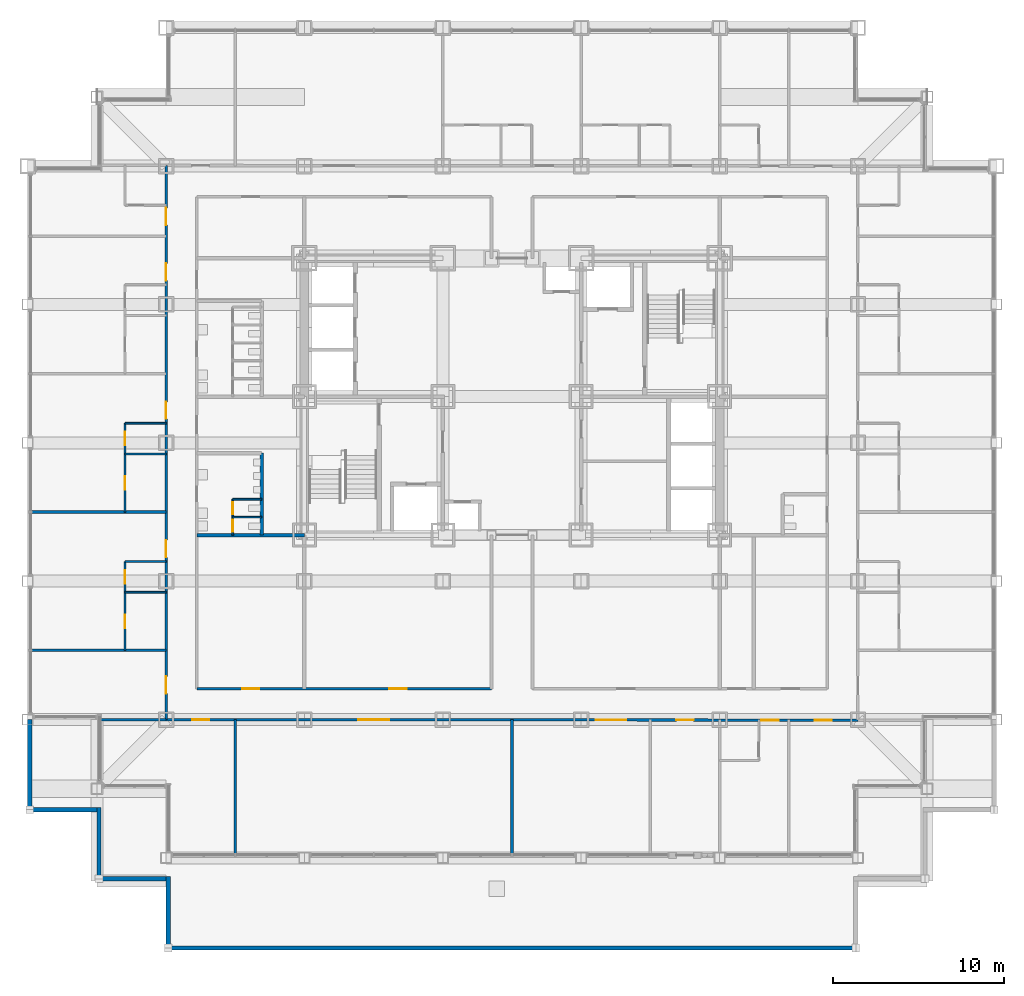
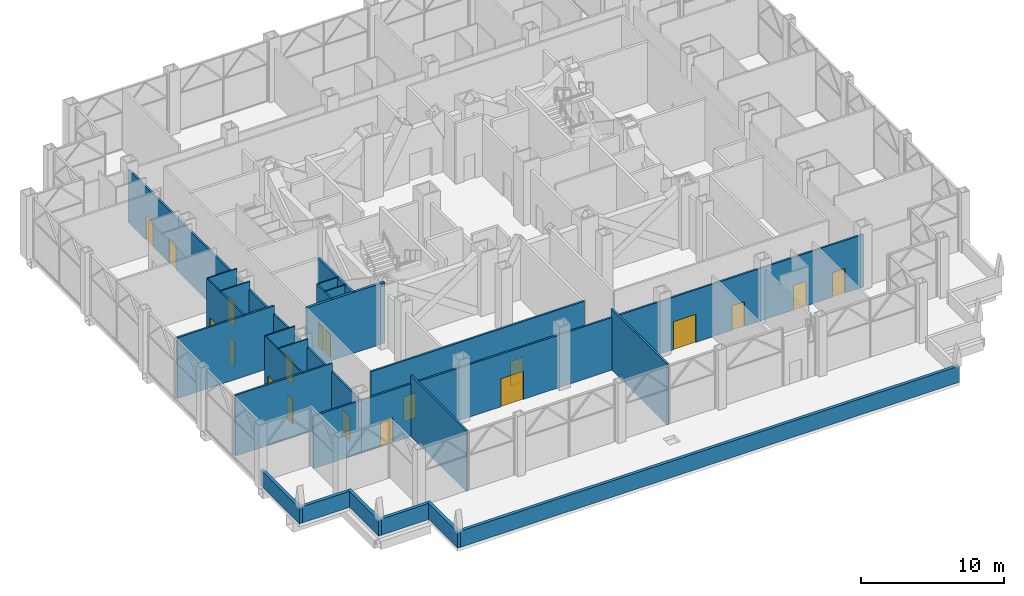
# One storey, part 19 of 26: 25 walls, 19 doors, 19 openings.
"""IFC4 building model written with IfcOpenShell, lengths in metres."""

from ifc_helpers import new_model, si_unit, direction, frame, frame_2d, origin, place, context, subcontext, project, spatial, rectangle, extrude, material, layer, layer_set, type_object, element, fill, save


model = new_model("IFC4")

# Units and contexts
model_context = context("Model", 3, precision=1e-05, world=origin(), true_north=direction((0.0, 1.0)))
body_context = subcontext(model_context, "Body", "Model", "MODEL_VIEW")
ifc_project = project(units=[si_unit("LENGTHUNIT", "METRE"), si_unit("AREAUNIT", "SQUARE_METRE"), si_unit("VOLUMEUNIT", "CUBIC_METRE"), si_unit("PLANEANGLEUNIT", "RADIAN"), si_unit("MASSUNIT", "GRAM", prefix="KILO")], contexts=[model_context])

# Site, building, storey
site_placement = place(None, origin())
site = spatial("IfcSite", under=ifc_project, at=site_placement, CompositionType="ELEMENT")
building_placement = place(site_placement, origin())
building = spatial("IfcBuilding", under=site, at=building_placement, Name="Kopane Lantern Tower", CompositionType="ELEMENT")
storey_placement = place(building_placement, frame((0.0, 0.0, 98.0)))
storey = spatial("IfcBuildingStorey", under=building, at=storey_placement, Name="L24", CompositionType="ELEMENT", Elevation=98.0)

# Wall, openings, doors
ifc_material_1 = material(Name="Moisture-resistant board on steel studs", Category="steel")
ifc_layer_1 = layer(ifc_material_1, 0.10009765625)
ifc_layer_set_1 = layer_set([ifc_layer_1], Name="BATHROOM WALL 100")
wall_type_1 = type_object("IfcWallType", Name="BATHROOM WALL 100", PredefinedType="PARTITIONING", material=ifc_layer_set_1)
wall_1_placement = place(storey_placement, frame((5.699951171875, 17.550048828125, 0.0), z_axis=(0.0, 0.0, 1.0), x_axis=(0.0, 1.0, 0.0)))
wall_1 = element("IfcWall", 1, at=wall_1_placement, inside=storey, type_object=wall_type_1, Name="Bathroom Wall 100 L24", PredefinedType="PARTITIONING", context=body_context, shape_type="SweptSolid", body=[
    extrude(rectangle(XDim=5.199951171875, YDim=0.10009765625, at=frame_2d((2.60009765625, 0.0))), origin(), (0.0, 0.0, 1.0), 5.18994140625),
])
opening_1_placement = place(wall_1_placement, frame((1.300048828125, 0.0, 0.0)))
opening_1 = element("IfcOpeningElement", 2, at=opening_1_placement, cuts=wall_1, Name="Opening L24-032", PredefinedType="OPENING", context=body_context, shape_type="SweptSolid", body=[
    extrude(rectangle(XDim=0.800048828125, YDim=2.10009765625, at=frame_2d((0.39990234375, 1.050048828125))), frame((0.0, 0.06005859375, 0.0), z_axis=(0.0, -1.0, 0.0), x_axis=(1.0, 0.0, 0.0)), (0.0, 0.0, 1.0), 0.1201171875),
])
opening_2_placement = place(wall_1_placement, frame((3.89990234375, 0.0, 0.0)))
opening_2 = element("IfcOpeningElement", 3, at=opening_2_placement, cuts=wall_1, Name="Opening L24-033", PredefinedType="OPENING", context=body_context, shape_type="SweptSolid", body=[
    extrude(rectangle(XDim=0.800048828125, YDim=2.10009765625, at=frame_2d((0.39990234375, 1.050048828125))), frame((0.0, 0.06005859375, 0.0), z_axis=(0.0, -1.0, 0.0), x_axis=(1.0, 0.0, 0.0)), (0.0, 0.0, 1.0), 0.1201171875),
])
ifc_material_2 = material(Name="Timber door set", Category="wood")
door_type_1 = type_object("IfcDoorType", Name="DOOR D2 800x2100", OperationType="SINGLE_SWING_LEFT", PredefinedType="DOOR", material=ifc_material_2)
door_1_placement = place(opening_1_placement, origin())
door_1 = element("IfcDoor", 4, at=door_1_placement, inside=storey, type_object=door_type_1, Name="Door L24-032", OperationType="SINGLE_SWING_LEFT", OverallHeight=2.10009765625, OverallWidth=0.800048828125, PredefinedType="DOOR", context=body_context, shape_type="SweptSolid", body=[
    extrude(rectangle(XDim=0.800048828125, YDim=2.10009765625, at=frame_2d((0.39990234375, 1.050048828125))), frame((0.0, 0.02490234375, 0.0), z_axis=(0.0, -1.0, 0.0), x_axis=(1.0, 0.0, 0.0)), (0.0, 0.0, 1.0), 0.050048828125),
])
fill(opening_1, door_1)
door_2_placement = place(opening_2_placement, origin())
door_2 = element("IfcDoor", 5, at=door_2_placement, inside=storey, type_object=door_type_1, Name="Door L24-033", OperationType="SINGLE_SWING_LEFT", OverallHeight=2.10009765625, OverallWidth=0.800048828125, PredefinedType="DOOR", context=body_context, shape_type="SweptSolid", body=[
    extrude(rectangle(XDim=0.800048828125, YDim=2.10009765625, at=frame_2d((0.39990234375, 1.050048828125))), frame((0.0, 0.02490234375, 0.0), z_axis=(0.0, -1.0, 0.0), x_axis=(1.0, 0.0, 0.0)), (0.0, 0.0, 1.0), 0.050048828125),
])
fill(opening_2, door_2)

# Walls
for number, where, z_axis, x_axis, name in (
    (6, (8.10009765625, 20.949951171875, 0.0), (0.0, 0.0, 1.0), (-1.0, 0.0, 0.0), "Bathroom Wall 100 L24"),
    (7, (8.10009765625, 22.75, 0.0), (0.0, 0.0, 1.0), (-1.0, 0.0, 0.0), "Bathroom Wall 100 L24"),
):
    element("IfcWall", number, at=place(storey_placement, frame(where, z_axis=z_axis, x_axis=x_axis)), inside=storey, type_object=wall_type_1, Name=name, PredefinedType="PARTITIONING", context=body_context, shape_type="SweptSolid", body=[
        extrude(rectangle(XDim=2.400146484375, YDim=0.10009765625, at=frame_2d((1.2001953125, 0.0))), origin(), (0.0, 0.0, 1.0), 5.18994140625),
    ])

# Wall, openings, doors
wall_2_placement = place(storey_placement, frame((5.699951171875, 25.64990234375, 0.0), z_axis=(0.0, 0.0, 1.0), x_axis=(0.0, 1.0, 0.0)))
wall_2 = element("IfcWall", 8, at=wall_2_placement, inside=storey, type_object=wall_type_1, Name="Bathroom Wall 100 L24", PredefinedType="PARTITIONING", context=body_context, shape_type="SweptSolid", body=[
    extrude(rectangle(XDim=5.2001953125, YDim=0.10009765625, at=frame_2d((2.60009765625, 0.0))), origin(), (0.0, 0.0, 1.0), 5.18994140625),
])
opening_3_placement = place(wall_2_placement, frame((1.300048828125, 0.0, 0.0)))
opening_3 = element("IfcOpeningElement", 9, at=opening_3_placement, cuts=wall_2, Name="Opening L24-035", PredefinedType="OPENING", context=body_context, shape_type="SweptSolid", body=[
    extrude(rectangle(XDim=0.800048828125, YDim=2.10009765625, at=frame_2d((0.39990234375, 1.050048828125))), frame((0.0, 0.06005859375, 0.0), z_axis=(0.0, -1.0, 0.0), x_axis=(1.0, 0.0, 0.0)), (0.0, 0.0, 1.0), 0.1201171875),
])
opening_4_placement = place(wall_2_placement, frame((3.89990234375, 0.0, 0.0)))
opening_4 = element("IfcOpeningElement", 10, at=opening_4_placement, cuts=wall_2, Name="Opening L24-036", PredefinedType="OPENING", context=body_context, shape_type="SweptSolid", body=[
    extrude(rectangle(XDim=0.800048828125, YDim=2.10009765625, at=frame_2d((0.39990234375, 1.050048828125))), frame((0.0, 0.06005859375, 0.0), z_axis=(0.0, -1.0, 0.0), x_axis=(1.0, 0.0, 0.0)), (0.0, 0.0, 1.0), 0.1201171875),
])
door_3_placement = place(opening_3_placement, origin())
door_3 = element("IfcDoor", 11, at=door_3_placement, inside=storey, type_object=door_type_1, Name="Door L24-035", OperationType="SINGLE_SWING_LEFT", OverallHeight=2.10009765625, OverallWidth=0.800048828125, PredefinedType="DOOR", context=body_context, shape_type="SweptSolid", body=[
    extrude(rectangle(XDim=0.800048828125, YDim=2.10009765625, at=frame_2d((0.39990234375, 1.050048828125))), frame((0.0, 0.02490234375, 0.0), z_axis=(0.0, -1.0, 0.0), x_axis=(1.0, 0.0, 0.0)), (0.0, 0.0, 1.0), 0.050048828125),
])
fill(opening_3, door_3)
door_4_placement = place(opening_4_placement, origin())
door_4 = element("IfcDoor", 12, at=door_4_placement, inside=storey, type_object=door_type_1, Name="Door L24-036", OperationType="SINGLE_SWING_LEFT", OverallHeight=2.10009765625, OverallWidth=0.800048828125, PredefinedType="DOOR", context=body_context, shape_type="SweptSolid", body=[
    extrude(rectangle(XDim=0.800048828125, YDim=2.10009765625, at=frame_2d((0.39990234375, 1.050048828125))), frame((0.0, 0.02490234375, 0.0), z_axis=(0.0, -1.0, 0.0), x_axis=(1.0, 0.0, 0.0)), (0.0, 0.0, 1.0), 0.050048828125),
])
fill(opening_4, door_4)

# Walls
for number, where, z_axis, x_axis, name in (
    (13, (8.10009765625, 29.050048828125, 0.0), (0.0, 0.0, 1.0), (-1.0, 0.0, 0.0), "Bathroom Wall 100 L24"),
    (14, (8.10009765625, 30.85009765625, 0.0), (0.0, 0.0, 1.0), (-1.0, 0.0, 0.0), "Bathroom Wall 100 L24"),
):
    element("IfcWall", number, at=place(storey_placement, frame(where, z_axis=z_axis, x_axis=x_axis)), inside=storey, type_object=wall_type_1, Name=name, PredefinedType="PARTITIONING", context=body_context, shape_type="SweptSolid", body=[
        extrude(rectangle(XDim=2.400146484375, YDim=0.10009765625, at=frame_2d((1.2001953125, 0.0))), origin(), (0.0, 0.0, 1.0), 5.18994140625),
    ])

# Wall, openings, doors
wall_3_placement = place(storey_placement, frame((12.0, 24.300048828125, 0.0), z_axis=(0.0, 0.0, 1.0), x_axis=(0.0, 1.0, 0.0)))
wall_3 = element("IfcWall", 15, at=wall_3_placement, inside=storey, type_object=wall_type_1, Name="Bathroom Wall 100 L24", PredefinedType="PARTITIONING", context=body_context, shape_type="SweptSolid", body=[
    extrude(rectangle(XDim=2.099853515625, YDim=0.10009765625, at=frame_2d((1.0498046875, 0.0))), origin(), (0.0, 0.0, 1.0), 5.18994140625),
])
opening_5_placement = place(wall_3_placement, frame((0.199951171875, 0.0, 0.0)))
opening_5 = element("IfcOpeningElement", 16, at=opening_5_placement, cuts=wall_3, Name="Opening L24-059", PredefinedType="OPENING", context=body_context, shape_type="SweptSolid", body=[
    extrude(rectangle(XDim=0.699951171875, YDim=2.0, at=frame_2d((0.35009765625, 1.0))), frame((0.0, 0.06005859375, 0.0), z_axis=(0.0, -1.0, 0.0), x_axis=(1.0, 0.0, 0.0)), (0.0, 0.0, 1.0), 0.1201171875),
])
opening_6_placement = place(wall_3_placement, frame((1.22509765625, 0.0, 0.0)))
opening_6 = element("IfcOpeningElement", 17, at=opening_6_placement, cuts=wall_3, Name="Opening L24-060", PredefinedType="OPENING", context=body_context, shape_type="SweptSolid", body=[
    extrude(rectangle(XDim=0.699951171875, YDim=2.0, at=frame_2d((0.35009765625, 1.0))), frame((0.0, 0.06005859375, 0.0), z_axis=(0.0, -1.0, 0.0), x_axis=(1.0, 0.0, 0.0)), (0.0, 0.0, 1.0), 0.1201171875),
])
ifc_material_3 = material(Name="Timber door set", Category="wood")
door_type_2 = type_object("IfcDoorType", Name="DOOR D13 700x2000 WC CUBICLE", OperationType="SINGLE_SWING_LEFT", PredefinedType="DOOR", material=ifc_material_3)
door_5_placement = place(opening_5_placement, origin())
door_5 = element("IfcDoor", 18, at=door_5_placement, inside=storey, type_object=door_type_2, Name="Door L24-059", OperationType="SINGLE_SWING_LEFT", OverallHeight=2.0, OverallWidth=0.699951171875, PredefinedType="DOOR", context=body_context, shape_type="SweptSolid", body=[
    extrude(rectangle(XDim=0.699951171875, YDim=2.0, at=frame_2d((0.35009765625, 1.0))), frame((0.0, 0.02490234375, 0.0), z_axis=(0.0, -1.0, 0.0), x_axis=(1.0, 0.0, 0.0)), (0.0, 0.0, 1.0), 0.050048828125),
])
fill(opening_5, door_5)
door_6_placement = place(opening_6_placement, origin())
door_6 = element("IfcDoor", 19, at=door_6_placement, inside=storey, type_object=door_type_2, Name="Door L24-060", OperationType="SINGLE_SWING_RIGHT", OverallHeight=2.0, OverallWidth=0.699951171875, PredefinedType="DOOR", context=body_context, shape_type="SweptSolid", body=[
    extrude(rectangle(XDim=0.699951171875, YDim=2.0, at=frame_2d((0.35009765625, 1.0))), frame((0.0, 0.02490234375, 0.0), z_axis=(0.0, -1.0, 0.0), x_axis=(1.0, 0.0, 0.0)), (0.0, 0.0, 1.0), 0.050048828125),
])
fill(opening_6, door_6)

# Walls
for number, where, z_axis, x_axis, name in (
    (20, (12.0, 25.35009765625, 0.0), (0.0, 0.0, 1.0), (1.0, 0.0, 0.0), "Bathroom Wall 100 L24"),
    (21, (12.0, 26.39990234375, 0.0), (0.0, 0.0, 1.0), (1.0, 0.0, 0.0), "Bathroom Wall 100 L24"),
):
    element("IfcWall", number, at=place(storey_placement, frame(where, z_axis=z_axis, x_axis=x_axis)), inside=storey, type_object=wall_type_1, Name=name, PredefinedType="PARTITIONING", context=body_context, shape_type="SweptSolid", body=[
        extrude(rectangle(XDim=1.699951171875, YDim=0.10009765625, at=frame_2d((0.85009765625, 0.0))), origin(), (0.0, 0.0, 1.0), 5.18994140625),
    ])

# Wall, openings, doors
ifc_material_4 = material(Name="Gypsum board on steel studs", Category="steel")
ifc_layer_2 = layer(ifc_material_4, 0.14990234375)
ifc_layer_set_2 = layer_set([ifc_layer_2], Name="CORRIDOR WALL 150 EI 60")
wall_type_2 = type_object("IfcWallType", Name="CORRIDOR WALL 150 EI 60", PredefinedType="PARTITIONING", material=ifc_layer_set_2)
wall_4_placement = place(storey_placement, frame((8.10009765625, 13.5, 0.0), z_axis=(0.0, 0.0, 1.0), x_axis=(0.999999628455, -0.000862027072, 0.0)))
wall_4 = element("IfcWall", 22, at=wall_4_placement, inside=storey, type_object=wall_type_2, Name="Corridor Wall 150 Ei 60 L24", PredefinedType="PARTITIONING", context=body_context, shape_type="SweptSolid", body=[
    extrude(rectangle(XDim=40.5, YDim=0.14990234375, at=frame_2d((20.25, 0.0))), origin(), (0.0, 0.0, 1.0), 4.489990234375),
])
opening_7_placement = place(wall_4_placement, frame((11.25, 0.0, 0.0)))
opening_7 = element("IfcOpeningElement", 23, at=opening_7_placement, cuts=wall_4, Name="Opening L24-017", PredefinedType="OPENING", context=body_context, shape_type="SweptSolid", body=[
    extrude(rectangle(XDim=1.800048828125, YDim=2.39990234375, at=frame_2d((0.89990234375, 1.199951171875))), frame((0.0, 0.0849609375, 0.0), z_axis=(0.0, -1.0, 0.0), x_axis=(1.0, 0.0, 0.0)), (0.0, 0.0, 1.0), 0.169921875),
])
opening_8_placement = place(wall_4_placement, frame((25.14990234375, 0.0, 0.0)))
opening_8 = element("IfcOpeningElement", 24, at=opening_8_placement, cuts=wall_4, Name="Opening L24-018", PredefinedType="OPENING", context=body_context, shape_type="SweptSolid", body=[
    extrude(rectangle(XDim=1.800048828125, YDim=2.39990234375, at=frame_2d((0.89990234375, 1.199951171875))), frame((0.0, 0.0849609375, 0.0), z_axis=(0.0, -1.0, 0.0), x_axis=(1.0, 0.0, 0.0)), (0.0, 0.0, 1.0), 0.169921875),
])
opening_9_placement = place(wall_4_placement, frame((29.875, 0.0, 0.0)))
opening_9 = element("IfcOpeningElement", 25, at=opening_9_placement, cuts=wall_4, Name="Opening L24-019", PredefinedType="OPENING", context=body_context, shape_type="SweptSolid", body=[
    extrude(rectangle(XDim=1.0, YDim=2.10009765625, at=frame_2d((0.5, 1.050048828125))), frame((0.0, 0.0849609375, 0.0), z_axis=(0.0, -1.0, 0.0), x_axis=(1.0, 0.0, 0.0)), (0.0, 0.0, 1.0), 0.169921875),
])
opening_10_placement = place(wall_4_placement, frame((34.85009765625, 0.0, 0.0)))
opening_10 = element("IfcOpeningElement", 26, at=opening_10_placement, cuts=wall_4, Name="Opening L24-021", PredefinedType="OPENING", context=body_context, shape_type="SweptSolid", body=[
    extrude(rectangle(XDim=1.0, YDim=2.10009765625, at=frame_2d((0.5, 1.050048828125))), frame((0.0, 0.0849609375, 0.0), z_axis=(0.0, -1.0, 0.0), x_axis=(1.0, 0.0, 0.0)), (0.0, 0.0, 1.0), 0.169921875),
])
opening_11_placement = place(wall_4_placement, frame((1.52490234375, 0.0, 0.0)))
opening_11 = element("IfcOpeningElement", 27, at=opening_11_placement, cuts=wall_4, Name="Opening L24-055", PredefinedType="OPENING", context=body_context, shape_type="SweptSolid", body=[
    extrude(rectangle(XDim=1.0, YDim=2.10009765625, at=frame_2d((0.5, 1.050048828125))), frame((0.0, 0.0849609375, 0.0), z_axis=(0.0, -1.0, 0.0), x_axis=(1.0, 0.0, 0.0)), (0.0, 0.0, 1.0), 0.169921875),
])
opening_12_placement = place(wall_4_placement, frame((37.97509765625, 0.0, 0.0)))
opening_12 = element("IfcOpeningElement", 28, at=opening_12_placement, cuts=wall_4, Name="Opening L24-056", PredefinedType="OPENING", context=body_context, shape_type="SweptSolid", body=[
    extrude(rectangle(XDim=1.0, YDim=2.10009765625, at=frame_2d((0.5, 1.050048828125))), frame((0.0, 0.0849609375, 0.0), z_axis=(0.0, -1.0, 0.0), x_axis=(1.0, 0.0, 0.0)), (0.0, 0.0, 1.0), 0.169921875),
])
ifc_material_5 = material(Name="Steel door set", Category="steel")
door_type_3 = type_object("IfcDoorType", Name="DOOR D1 1000x2100 FD30S", OperationType="SINGLE_SWING_LEFT", PredefinedType="DOOR", material=ifc_material_5)
door_7_placement = place(opening_10_placement, origin())
door_7 = element("IfcDoor", 29, at=door_7_placement, inside=storey, type_object=door_type_3, Name="Door L24-021", OperationType="SINGLE_SWING_RIGHT", OverallHeight=2.10009765625, OverallWidth=1.0, PredefinedType="DOOR", context=body_context, shape_type="SweptSolid", body=[
    extrude(rectangle(XDim=1.0, YDim=2.10009765625, at=frame_2d((0.5, 1.050048828125))), frame((0.0, 0.02490234375, 0.0), z_axis=(0.0, -1.0, 0.0), x_axis=(1.0, 0.0, 0.0)), (0.0, 0.0, 1.0), 0.050048828125),
])
fill(opening_10, door_7)
ifc_material_6 = material(Name="Steel door set", Category="steel")
door_type_4 = type_object("IfcDoorType", Name="DOOR D5 1000x2100 FD60", OperationType="SINGLE_SWING_LEFT", PredefinedType="DOOR", material=ifc_material_6)
door_8_placement = place(opening_9_placement, origin())
door_8 = element("IfcDoor", 30, at=door_8_placement, inside=storey, type_object=door_type_4, Name="Door L24-019", OperationType="SINGLE_SWING_LEFT", OverallHeight=2.10009765625, OverallWidth=1.0, PredefinedType="DOOR", context=body_context, shape_type="SweptSolid", body=[
    extrude(rectangle(XDim=1.0, YDim=2.10009765625, at=frame_2d((0.5, 1.050048828125))), frame((0.0, 0.02490234375, 0.0), z_axis=(0.0, -1.0, 0.0), x_axis=(1.0, 0.0, 0.0)), (0.0, 0.0, 1.0), 0.050048828125),
])
fill(opening_9, door_8)
door_9_placement = place(opening_11_placement, origin())
door_9 = element("IfcDoor", 31, at=door_9_placement, inside=storey, type_object=door_type_4, Name="Door L24-055", OperationType="SINGLE_SWING_LEFT", OverallHeight=2.10009765625, OverallWidth=1.0, PredefinedType="DOOR", context=body_context, shape_type="SweptSolid", body=[
    extrude(rectangle(XDim=1.0, YDim=2.10009765625, at=frame_2d((0.5, 1.050048828125))), frame((0.0, 0.02490234375, 0.0), z_axis=(0.0, -1.0, 0.0), x_axis=(1.0, 0.0, 0.0)), (0.0, 0.0, 1.0), 0.050048828125),
])
fill(opening_11, door_9)
door_10_placement = place(opening_12_placement, origin())
door_10 = element("IfcDoor", 32, at=door_10_placement, inside=storey, type_object=door_type_4, Name="Door L24-056", OperationType="SINGLE_SWING_RIGHT", OverallHeight=2.10009765625, OverallWidth=1.0, PredefinedType="DOOR", context=body_context, shape_type="SweptSolid", body=[
    extrude(rectangle(XDim=1.0, YDim=2.10009765625, at=frame_2d((0.5, 1.050048828125))), frame((0.0, 0.02490234375, 0.0), z_axis=(0.0, -1.0, 0.0), x_axis=(1.0, 0.0, 0.0)), (0.0, 0.0, 1.0), 0.050048828125),
])
fill(opening_12, door_10)
ifc_material_7 = material(Name="Steel door set", Category="steel")
door_type_5 = type_object("IfcDoorType", Name="DOOR D6 1800x2400 FD30S", OperationType="SINGLE_SWING_LEFT", PredefinedType="DOOR", material=ifc_material_7)
door_11_placement = place(opening_7_placement, origin())
door_11 = element("IfcDoor", 33, at=door_11_placement, inside=storey, type_object=door_type_5, Name="Door L24-017", OperationType="DOUBLE_DOOR_SINGLE_SWING", OverallHeight=2.39990234375, OverallWidth=1.800048828125, PredefinedType="DOOR", context=body_context, shape_type="SweptSolid", body=[
    extrude(rectangle(XDim=1.800048828125, YDim=2.39990234375, at=frame_2d((0.89990234375, 1.199951171875))), frame((0.0, 0.02490234375, 0.0), z_axis=(0.0, -1.0, 0.0), x_axis=(1.0, 0.0, 0.0)), (0.0, 0.0, 1.0), 0.050048828125),
])
fill(opening_7, door_11)
door_12_placement = place(opening_8_placement, origin())
door_12 = element("IfcDoor", 34, at=door_12_placement, inside=storey, type_object=door_type_5, Name="Door L24-018", OperationType="DOUBLE_DOOR_SINGLE_SWING", OverallHeight=2.39990234375, OverallWidth=1.800048828125, PredefinedType="DOOR", context=body_context, shape_type="SweptSolid", body=[
    extrude(rectangle(XDim=1.800048828125, YDim=2.39990234375, at=frame_2d((0.89990234375, 1.199951171875))), frame((0.0, 0.02490234375, 0.0), z_axis=(0.0, -1.0, 0.0), x_axis=(1.0, 0.0, 0.0)), (0.0, 0.0, 1.0), 0.050048828125),
])
fill(opening_8, door_12)

wall_5_placement = place(storey_placement, frame((8.10009765625, 13.5, 0.0), z_axis=(0.0, 0.0, 1.0), x_axis=(0.0, 1.0, 0.0)))
wall_5 = element("IfcWall", 35, at=wall_5_placement, inside=storey, type_object=wall_type_2, Name="Corridor Wall 150 Ei 60 L24", PredefinedType="PARTITIONING", context=body_context, shape_type="SweptSolid", body=[
    extrude(rectangle(XDim=32.43505859375, YDim=0.14990234375, at=frame_2d((16.217529296875, 0.0))), origin(), (0.0, 0.0, 1.0), 4.489990234375),
])
opening_13_placement = place(wall_5_placement, frame((1.52490234375, 0.0, 0.0)))
opening_13 = element("IfcOpeningElement", 36, at=opening_13_placement, cuts=wall_5, Name="Opening L24-031", PredefinedType="OPENING", context=body_context, shape_type="SweptSolid", body=[
    extrude(rectangle(XDim=1.0, YDim=2.10009765625, at=frame_2d((0.5, 1.050048828125))), frame((0.0, 0.0849609375, 0.0), z_axis=(0.0, -1.0, 0.0), x_axis=(1.0, 0.0, 0.0)), (0.0, 0.0, 1.0), 0.169921875),
])
opening_14_placement = place(wall_5_placement, frame((9.5, 0.0, 0.0)))
opening_14 = element("IfcOpeningElement", 37, at=opening_14_placement, cuts=wall_5, Name="Opening L24-034", PredefinedType="OPENING", context=body_context, shape_type="SweptSolid", body=[
    extrude(rectangle(XDim=1.0, YDim=2.10009765625, at=frame_2d((0.5, 1.050048828125))), frame((0.0, 0.0849609375, 0.0), z_axis=(0.0, -1.0, 0.0), x_axis=(1.0, 0.0, 0.0)), (0.0, 0.0, 1.0), 0.169921875),
])
opening_15_placement = place(wall_5_placement, frame((17.60009765625, 0.0, 0.0)))
opening_15 = element("IfcOpeningElement", 38, at=opening_15_placement, cuts=wall_5, Name="Opening L24-037", PredefinedType="OPENING", context=body_context, shape_type="SweptSolid", body=[
    extrude(rectangle(XDim=1.0, YDim=2.10009765625, at=frame_2d((0.5, 1.050048828125))), frame((0.0, 0.0849609375, 0.0), z_axis=(0.0, -1.0, 0.0), x_axis=(1.0, 0.0, 0.0)), (0.0, 0.0, 1.0), 0.169921875),
])
opening_16_placement = place(wall_5_placement, frame((25.699951171875, 0.0, 0.0)))
opening_16 = element("IfcOpeningElement", 39, at=opening_16_placement, cuts=wall_5, Name="Opening L24-040", PredefinedType="OPENING", context=body_context, shape_type="SweptSolid", body=[
    extrude(rectangle(XDim=1.0, YDim=2.10009765625, at=frame_2d((0.5, 1.050048828125))), frame((0.0, 0.0849609375, 0.0), z_axis=(0.0, -1.0, 0.0), x_axis=(1.0, 0.0, 0.0)), (0.0, 0.0, 1.0), 0.169921875),
])
opening_17_placement = place(wall_5_placement, frame((28.949951171875, 0.0, 0.0)))
opening_17 = element("IfcOpeningElement", 40, at=opening_17_placement, cuts=wall_5, Name="Opening L24-042", PredefinedType="OPENING", context=body_context, shape_type="SweptSolid", body=[
    extrude(rectangle(XDim=1.0, YDim=2.10009765625, at=frame_2d((0.5, 1.050048828125))), frame((0.0, 0.0849609375, 0.0), z_axis=(0.0, -1.0, 0.0), x_axis=(1.0, 0.0, 0.0)), (0.0, 0.0, 1.0), 0.169921875),
])
door_13_placement = place(opening_14_placement, origin())
door_13 = element("IfcDoor", 41, at=door_13_placement, inside=storey, type_object=door_type_3, Name="Door L24-034", OperationType="SINGLE_SWING_LEFT", OverallHeight=2.10009765625, OverallWidth=1.0, PredefinedType="DOOR", context=body_context, shape_type="SweptSolid", body=[
    extrude(rectangle(XDim=1.0, YDim=2.10009765625, at=frame_2d((0.5, 1.050048828125))), frame((0.0, 0.02490234375, 0.0), z_axis=(0.0, -1.0, 0.0), x_axis=(1.0, 0.0, 0.0)), (0.0, 0.0, 1.0), 0.050048828125),
])
fill(opening_14, door_13)
door_14_placement = place(opening_15_placement, origin())
door_14 = element("IfcDoor", 42, at=door_14_placement, inside=storey, type_object=door_type_3, Name="Door L24-037", OperationType="SINGLE_SWING_LEFT", OverallHeight=2.10009765625, OverallWidth=1.0, PredefinedType="DOOR", context=body_context, shape_type="SweptSolid", body=[
    extrude(rectangle(XDim=1.0, YDim=2.10009765625, at=frame_2d((0.5, 1.050048828125))), frame((0.0, 0.02490234375, 0.0), z_axis=(0.0, -1.0, 0.0), x_axis=(1.0, 0.0, 0.0)), (0.0, 0.0, 1.0), 0.050048828125),
])
fill(opening_15, door_14)
door_15_placement = place(opening_16_placement, origin())
door_15 = element("IfcDoor", 43, at=door_15_placement, inside=storey, type_object=door_type_3, Name="Door L24-040", OperationType="SINGLE_SWING_LEFT", OverallHeight=2.10009765625, OverallWidth=1.0, PredefinedType="DOOR", context=body_context, shape_type="SweptSolid", body=[
    extrude(rectangle(XDim=1.0, YDim=2.10009765625, at=frame_2d((0.5, 1.050048828125))), frame((0.0, 0.02490234375, 0.0), z_axis=(0.0, -1.0, 0.0), x_axis=(1.0, 0.0, 0.0)), (0.0, 0.0, 1.0), 0.050048828125),
])
fill(opening_16, door_15)
door_16_placement = place(opening_17_placement, origin())
door_16 = element("IfcDoor", 44, at=door_16_placement, inside=storey, type_object=door_type_3, Name="Door L24-042", OperationType="SINGLE_SWING_RIGHT", OverallHeight=2.10009765625, OverallWidth=1.0, PredefinedType="DOOR", context=body_context, shape_type="SweptSolid", body=[
    extrude(rectangle(XDim=1.0, YDim=2.10009765625, at=frame_2d((0.5, 1.050048828125))), frame((0.0, 0.02490234375, 0.0), z_axis=(0.0, -1.0, 0.0), x_axis=(1.0, 0.0, 0.0)), (0.0, 0.0, 1.0), 0.050048828125),
])
fill(opening_17, door_16)
door_17_placement = place(opening_13_placement, origin())
door_17 = element("IfcDoor", 45, at=door_17_placement, inside=storey, type_object=door_type_4, Name="Door L24-031", OperationType="SINGLE_SWING_LEFT", OverallHeight=2.10009765625, OverallWidth=1.0, PredefinedType="DOOR", context=body_context, shape_type="SweptSolid", body=[
    extrude(rectangle(XDim=1.0, YDim=2.10009765625, at=frame_2d((0.5, 1.050048828125))), frame((0.0, 0.02490234375, 0.0), z_axis=(0.0, -1.0, 0.0), x_axis=(1.0, 0.0, 0.0)), (0.0, 0.0, 1.0), 0.050048828125),
])
fill(opening_13, door_17)

wall_6_placement = place(storey_placement, frame((9.89990234375, 15.300048828125, 0.0), z_axis=(0.0, 0.0, 1.0), x_axis=(1.0, 0.0, 0.0)))
wall_6 = element("IfcWall", 46, at=wall_6_placement, inside=storey, type_object=wall_type_2, Name="Corridor Wall 150 Ei 60 L24", PredefinedType="PARTITIONING", context=body_context, shape_type="SweptSolid", body=[
    extrude(rectangle(XDim=17.239990234375, YDim=0.14990234375, at=frame_2d((8.6201171875, 0.0))), origin(), (0.0, 0.0, 1.0), 5.18994140625),
])
opening_18_placement = place(wall_6_placement, frame((2.64990234375, 0.0, 0.0)))
opening_18 = element("IfcOpeningElement", 47, at=opening_18_placement, cuts=wall_6, Name="Opening L24-008", PredefinedType="OPENING", context=body_context, shape_type="SweptSolid", body=[
    extrude(rectangle(XDim=1.0, YDim=2.10009765625, at=frame_2d((0.5, 1.050048828125))), frame((0.0, 0.0849609375, 0.0), z_axis=(0.0, -1.0, 0.0), x_axis=(1.0, 0.0, 0.0)), (0.0, 0.0, 1.0), 0.169921875),
])
opening_19_placement = place(wall_6_placement, frame((11.27490234375, 0.0, 0.0)))
opening_19 = element("IfcOpeningElement", 48, at=opening_19_placement, cuts=wall_6, Name="Opening L24-009", PredefinedType="OPENING", context=body_context, shape_type="SweptSolid", body=[
    extrude(rectangle(XDim=1.0, YDim=2.10009765625, at=frame_2d((0.5, 1.050048828125))), frame((0.0, 0.0849609375, 0.0), z_axis=(0.0, -1.0, 0.0), x_axis=(1.0, 0.0, 0.0)), (0.0, 0.0, 1.0), 0.169921875),
])
door_18_placement = place(opening_18_placement, origin())
door_18 = element("IfcDoor", 49, at=door_18_placement, inside=storey, type_object=door_type_4, Name="Door L24-008", OperationType="SINGLE_SWING_LEFT", OverallHeight=2.10009765625, OverallWidth=1.0, PredefinedType="DOOR", context=body_context, shape_type="SweptSolid", body=[
    extrude(rectangle(XDim=1.0, YDim=2.10009765625, at=frame_2d((0.5, 1.050048828125))), frame((0.0, 0.02490234375, 0.0), z_axis=(0.0, -1.0, 0.0), x_axis=(1.0, 0.0, 0.0)), (0.0, 0.0, 1.0), 0.050048828125),
])
fill(opening_18, door_18)
door_19_placement = place(opening_19_placement, origin())
door_19 = element("IfcDoor", 50, at=door_19_placement, inside=storey, type_object=door_type_4, Name="Door L24-009", OperationType="SINGLE_SWING_RIGHT", OverallHeight=2.10009765625, OverallWidth=1.0, PredefinedType="DOOR", context=body_context, shape_type="SweptSolid", body=[
    extrude(rectangle(XDim=1.0, YDim=2.10009765625, at=frame_2d((0.5, 1.050048828125))), frame((0.0, 0.02490234375, 0.0), z_axis=(0.0, -1.0, 0.0), x_axis=(1.0, 0.0, 0.0)), (0.0, 0.0, 1.0), 0.050048828125),
])
fill(opening_19, door_19)

# Walls
ifc_material_8 = material(Name="Gypsum board on steel studs", Category="steel")
ifc_layer_3 = layer(ifc_material_8, 0.14990234375)
ifc_layer_set_3 = layer_set([ifc_layer_3], Name="DEMISING WALL 150 EI 60")
wall_type_3 = type_object("IfcWallType", Name="DEMISING WALL 150 EI 60", PredefinedType="PARTITIONING", material=ifc_layer_set_3)
wall_7_placement = place(storey_placement, frame((28.35009765625, 13.5, 0.0), z_axis=(0.0, 0.0, 1.0), x_axis=(0.0, -1.0, 0.0)))
element("IfcWall", 51, at=wall_7_placement, inside=storey, type_object=wall_type_3, Name="Demising Wall 150 Ei 60 L24", PredefinedType="PARTITIONING", context=body_context, shape_type="SweptSolid", body=[
    extrude(rectangle(XDim=7.83447265625, YDim=0.14990234375, at=frame_2d((3.917236328125, 0.0))), origin(), (0.0, 0.0, 1.0), 5.18994140625),
])
for number, where, z_axis, x_axis, name in (
    (52, (8.10009765625, 17.550048828125, 0.0), (0.0, 0.0, 1.0), (-1.0, 0.0, 0.0), "Demising Wall 150 Ei 60 L24"),
    (53, (8.10009765625, 25.64990234375, 0.0), (0.0, 0.0, 1.0), (-1.0, 0.0, 0.0), "Demising Wall 150 Ei 60 L24"),
):
    element("IfcWall", number, at=place(storey_placement, frame(where, z_axis=z_axis, x_axis=x_axis)), inside=storey, type_object=wall_type_3, Name=name, PredefinedType="PARTITIONING", context=body_context, shape_type="SweptSolid", body=[
        extrude(rectangle(XDim=7.834716796875, YDim=0.14990234375, at=frame_2d((3.91748046875, 0.0))), origin(), (0.0, 0.0, 1.0), 5.18994140625),
    ])
wall_8_placement = place(storey_placement, frame((4.219970703125, 13.5, 0.0), z_axis=(0.0, 0.0, 1.0), x_axis=(1.0, 0.0, 0.0)))
element("IfcWall", 54, at=wall_8_placement, inside=storey, type_object=wall_type_3, Name="Demising Wall 150 Ei 60 L24", PredefinedType="PARTITIONING", context=body_context, shape_type="SweptSolid", body=[
    extrude(rectangle(XDim=3.880126953125, YDim=0.14990234375, at=frame_2d((1.93994140625, 0.0))), origin(), (0.0, 0.0, 1.0), 4.489990234375),
])
wall_9_placement = place(storey_placement, frame((12.14990234375, 13.5, 0.0), z_axis=(0.0, 0.0, 1.0), x_axis=(0.0, -1.0, 0.0)))
element("IfcWall", 55, at=wall_9_placement, inside=storey, type_object=wall_type_3, Name="Demising Wall 150 Ei 60 L24", PredefinedType="PARTITIONING", context=body_context, shape_type="SweptSolid", body=[
    extrude(rectangle(XDim=7.83447265625, YDim=0.14990234375, at=frame_2d((3.917236328125, 0.0))), origin(), (0.0, 0.0, 1.0), 5.18994140625),
])
ifc_material_9 = material(Name="Terracotta rainscreen on light steel framing", Category="masonry")
ifc_layer_4 = layer(ifc_material_9, 0.25)
ifc_layer_set_4 = layer_set([ifc_layer_4], Name="PARAPET PW1 250 TERRACOTTA")
wall_type_4 = type_object("IfcWallType", Name="PARAPET PW1 250 TERRACOTTA", PredefinedType="PARAPET", material=ifc_layer_set_4)
wall_10_placement = place(storey_placement, frame((0.125, 13.5, 0.0), z_axis=(0.0, 0.0, 1.0), x_axis=(0.0, -1.0, 0.0)))
element("IfcWall", 56, at=wall_10_placement, inside=storey, type_object=wall_type_4, Name="Parapet L24", PredefinedType="PARAPET", context=body_context, shape_type="SweptSolid", body=[
    extrude(rectangle(XDim=5.39990234375, YDim=0.25, at=frame_2d((2.699951171875, 0.0))), origin(), (0.0, 0.0, 1.0), 1.3798828125),
])
wall_11_placement = place(storey_placement, frame((0.25, 8.22509765625, 0.0), z_axis=(0.0, 0.0, 1.0), x_axis=(1.0, 0.0, 0.0)))
element("IfcWall", 57, at=wall_11_placement, inside=storey, type_object=wall_type_4, Name="Parapet L24", PredefinedType="PARAPET", context=body_context, shape_type="SweptSolid", body=[
    extrude(rectangle(XDim=3.800048828125, YDim=0.25, at=frame_2d((1.89990234375, 0.0))), origin(), (0.0, 0.0, 1.0), 1.3798828125),
])
wall_12_placement = place(storey_placement, frame((4.175048828125, 8.35009765625, 0.0), z_axis=(0.0, 0.0, 1.0), x_axis=(0.0, -1.0, 0.0)))
element("IfcWall", 58, at=wall_12_placement, inside=storey, type_object=wall_type_4, Name="Parapet L24", PredefinedType="PARAPET", context=body_context, shape_type="SweptSolid", body=[
    extrude(rectangle(XDim=4.300048828125, YDim=0.25, at=frame_2d((2.14990234375, 0.0))), origin(), (0.0, 0.0, 1.0), 1.3798828125),
])
wall_13_placement = place(storey_placement, frame((4.300048828125, 4.175048828125, 0.0), z_axis=(0.0, 0.0, 1.0), x_axis=(1.0, 0.0, 0.0)))
element("IfcWall", 59, at=wall_13_placement, inside=storey, type_object=wall_type_4, Name="Parapet L24", PredefinedType="PARAPET", context=body_context, shape_type="SweptSolid", body=[
    extrude(rectangle(XDim=3.800048828125, YDim=0.25, at=frame_2d((1.89990234375, 0.0))), origin(), (0.0, 0.0, 1.0), 1.3798828125),
])
wall_14_placement = place(storey_placement, frame((8.22509765625, 4.300048828125, 0.0), z_axis=(0.0, 0.0, 1.0), x_axis=(0.0, -1.0, 0.0)))
element("IfcWall", 60, at=wall_14_placement, inside=storey, type_object=wall_type_4, Name="Parapet L24", PredefinedType="PARAPET", context=body_context, shape_type="SweptSolid", body=[
    extrude(rectangle(XDim=4.300048828125, YDim=0.25, at=frame_2d((2.14990234375, 0.0))), origin(), (0.0, 0.0, 1.0), 1.3798828125),
])
wall_15_placement = place(storey_placement, frame((8.35009765625, 0.125, 0.0), z_axis=(0.0, 0.0, 1.0), x_axis=(1.0, 0.0, 0.0)))
element("IfcWall", 61, at=wall_15_placement, inside=storey, type_object=wall_type_4, Name="Parapet L24", PredefinedType="PARAPET", context=body_context, shape_type="SweptSolid", body=[
    extrude(rectangle(XDim=40.25, YDim=0.25, at=frame_2d((20.125, 0.0))), origin(), (0.0, 0.0, 1.0), 1.3798828125),
])
ifc_material_10 = material(Name="Concrete masonry", Category="masonry")
ifc_layer_5 = layer(ifc_material_10, 0.199951171875)
ifc_layer_set_5 = layer_set([ifc_layer_5], Name="PLANT ROOM WALL 200 EI 120")
wall_type_5 = type_object("IfcWallType", Name="PLANT ROOM WALL 200 EI 120", PredefinedType="SOLIDWALL", material=ifc_layer_set_5)
wall_16_placement = place(storey_placement, frame((13.699951171875, 24.300048828125, 0.0), z_axis=(0.0, 0.0, 1.0), x_axis=(0.0, 1.0, 0.0)))
element("IfcWall", 62, at=wall_16_placement, inside=storey, type_object=wall_type_5, Name="Plant Room Wall 200 Ei 120 L24", PredefinedType="SOLIDWALL", context=body_context, shape_type="SweptSolid", body=[
    extrude(rectangle(XDim=4.800048828125, YDim=0.199951171875, at=frame_2d((2.39990234375, 0.0))), origin(), (0.0, 0.0, 1.0), 5.18994140625),
])
wall_17_placement = place(storey_placement, frame((9.89990234375, 24.300048828125, 0.0), z_axis=(0.0, 0.0, 1.0), x_axis=(1.0, 0.0, 0.0)))
element("IfcWall", 63, at=wall_17_placement, inside=storey, type_object=wall_type_5, Name="Plant Room Wall 200 Ei 120 L24", PredefinedType="SOLIDWALL", context=body_context, shape_type="SweptSolid", body=[
    extrude(rectangle(XDim=6.300048828125, YDim=0.199951171875, at=frame_2d((3.14990234375, 0.0))), origin(), (0.0, 0.0, 1.0), 5.18994140625),
])

save(model, "model.ifc")
